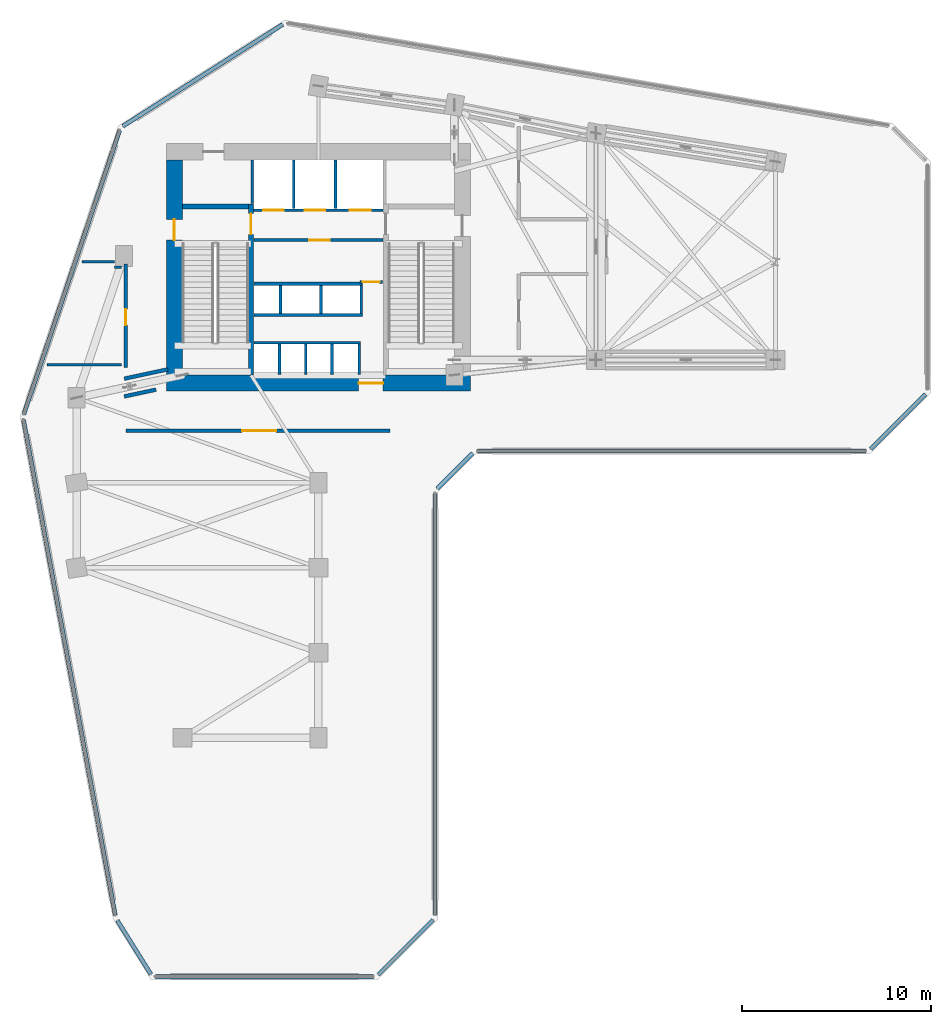
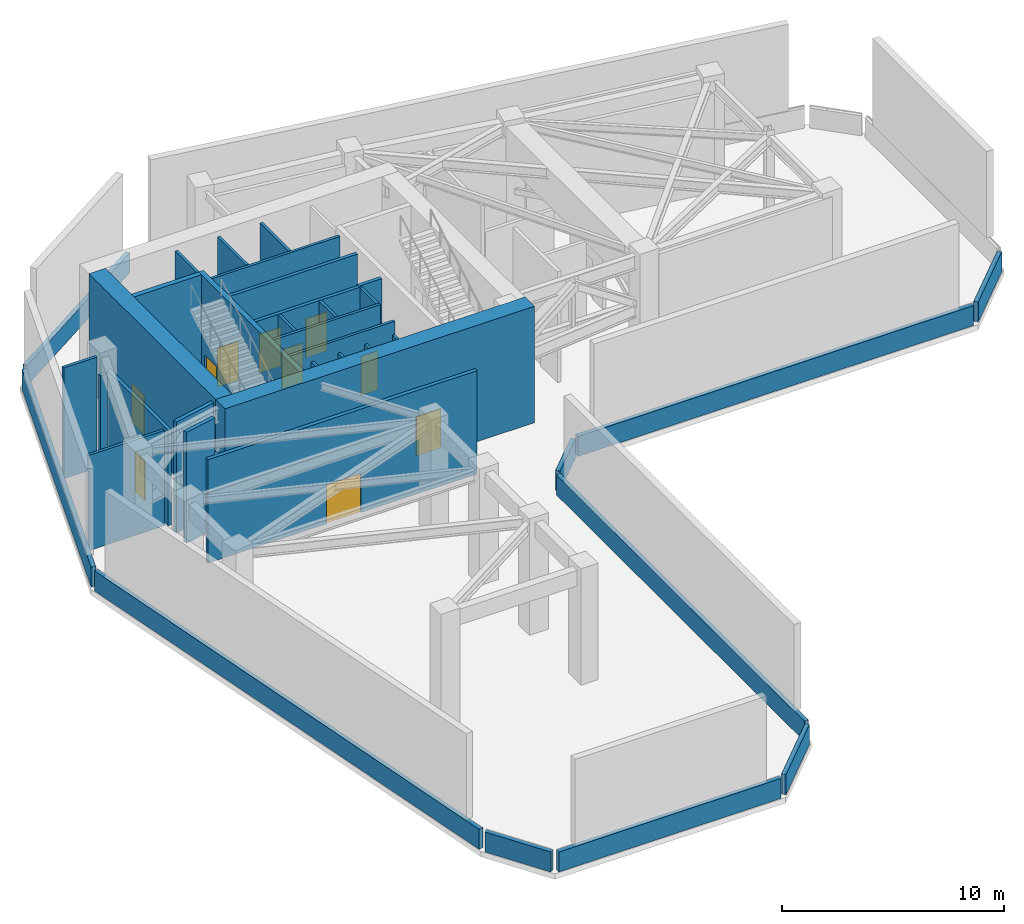
# One storey, part 6 of 10: 37 walls, 10 doors, 10 openings.
"""IFC4 building model written with IfcOpenShell, lengths in metres."""

from ifc_helpers import new_model, si_unit, direction, frame, frame_2d, origin, place, context, subcontext, project, spatial, rectangle, extrude, source, transform, mapped, material, layer, layer_set, type_object, element, fill, save


model = new_model("IFC4")

# Units and contexts
model_context = context("Model", 3, precision=1e-05, world=origin(), true_north=direction((0.0, 1.0)))
body_context = subcontext(model_context, "Body", "Model", "MODEL_VIEW")
ifc_project = project(units=[si_unit("LENGTHUNIT", "METRE"), si_unit("AREAUNIT", "SQUARE_METRE"), si_unit("VOLUMEUNIT", "CUBIC_METRE"), si_unit("PLANEANGLEUNIT", "RADIAN"), si_unit("MASSUNIT", "GRAM", prefix="KILO")], contexts=[model_context])

# Site, building, storey
site_placement = place(None, origin())
site = spatial("IfcSite", under=ifc_project, at=site_placement, CompositionType="ELEMENT")
building_placement = place(site_placement, origin())
building = spatial("IfcBuilding", under=site, at=building_placement, Name="Calvemar Wedge Station Tower", CompositionType="ELEMENT")
storey_placement = place(building_placement, frame((0.0, 0.0, 99.0)))
storey = spatial("IfcBuildingStorey", under=building, at=storey_placement, Name="L24", CompositionType="ELEMENT", Elevation=99.0)

# Wall, opening, door
ifc_material_1 = material(Name="Concrete C50", Category="concrete")
ifc_layer_1 = layer(ifc_material_1, 0.260009765625)
ifc_layer_set_1 = layer_set([ifc_layer_1], Name="Concrete C50")
wall_type_1 = type_object("IfcWallType", Name="SW-CORE-260", PredefinedType="SHEAR", material=ifc_layer_set_1)
wall_1_placement = place(storey_placement, frame((20.22998046875, 34.199951171875, 0.0), z_axis=(0.0, 0.0, 1.0), x_axis=(0.0, 1.0, 0.0)))
wall_1 = element("IfcWall", 1, at=wall_1_placement, inside=storey, type_object=wall_type_1, Name="Storey L24 Core Shear Wall SPINE-W", PredefinedType="SHEAR", context=body_context, shape_type="SweptSolid", body=[
    extrude(rectangle(XDim=9.06005859375, YDim=0.260009765625, at=frame_2d((4.530029296875, 0.0))), origin(), (0.0, 0.0, 1.0), 6.39990234375),
])
shared_shape_1 = source(origin(), body_context, "Body", "SweptSolid", [
    extrude(rectangle(XDim=1.10009765625, YDim=2.14990234375, at=frame_2d((0.550048828125, 1.074951171875))), frame((0.0, 0.14013671875, 0.0), z_axis=(0.0, -1.0, 0.0), x_axis=(1.0, 0.0, 0.0)), (0.0, 0.0, 1.0), 0.280029296875),
])
opening_1_placement = place(wall_1_placement, frame((7.449951171875, 0.0, 0.0)))
opening_1 = element("IfcOpeningElement", 2, at=opening_1_placement, cuts=wall_1, Name="Opening FD-90", PredefinedType="OPENING", context=body_context, shape_type="MappedRepresentation", body=[
    mapped(shared_shape_1, transform((0.0, 0.0, 0.0), scale=1.0)),
])
ifc_material_2 = material(Name="Galvanized fire-rated steel door leaf P-90", Category="steel")
door_type_1 = type_object("IfcDoorType", Name="DR-FD90-1100", OperationType="NOTDEFINED", PredefinedType="DOOR", material=ifc_material_2)
shared_shape_2 = source(origin(), body_context, "Body", "SweptSolid", [
    extrude(rectangle(XDim=1.10009765625, YDim=2.14990234375, at=frame_2d((0.550048828125, 1.074951171875))), frame((0.0, 0.02490234375, 0.0), z_axis=(0.0, -1.0, 0.0), x_axis=(1.0, 0.0, 0.0)), (0.0, 0.0, 1.0), 0.050048828125),
])
door_1_placement = place(opening_1_placement, origin())
door_1 = element("IfcDoor", 3, at=door_1_placement, inside=storey, type_object=door_type_1, Name="L24 FF Lobby to Stair ST-C1 Door", OperationType="SINGLE_SWING_RIGHT", OverallHeight=2.14990234375, OverallWidth=1.10009765625, PredefinedType="DOOR", context=body_context, shape_type="MappedRepresentation", body=[
    mapped(shared_shape_2, transform((0.0, 0.0, 0.0), scale=1.0)),
])
fill(opening_1, door_1)

# Wall
wall_2_placement = place(storey_placement, frame((16.60009765625, 43.1298828125, 0.0), z_axis=(0.0, 0.0, 1.0), x_axis=(1.0, 0.0, 0.0)))
element("IfcWall", 4, at=wall_2_placement, inside=storey, type_object=wall_type_1, Name="Storey L24 Core Shear Wall STC1-N", PredefinedType="SHEAR", context=body_context, shape_type="SweptSolid", body=[
    extrude(rectangle(XDim=3.5, YDim=0.260009765625, at=frame_2d((1.75, 0.0))), origin(), (0.0, 0.0, 1.0), 6.39990234375),
])

# Wall, opening, door
ifc_material_3 = material(Name="Concrete C80", Category="concrete")
ifc_layer_2 = layer(ifc_material_3, 0.85009765625)
ifc_layer_set_2 = layer_set([ifc_layer_2], Name="Concrete C80")
wall_type_2 = type_object("IfcWallType", Name="SW-CORE-850", PredefinedType="SHEAR", material=ifc_layer_set_2)
wall_3_placement = place(storey_placement, frame((15.75, 33.77490234375, 0.0), z_axis=(0.0, 0.0, 1.0), x_axis=(1.0, 0.0, 0.0)))
wall_3 = element("IfcWall", 5, at=wall_3_placement, inside=storey, type_object=wall_type_2, Name="Storey L24 Core Shear Wall S", PredefinedType="SHEAR", context=body_context, shape_type="SweptSolid", body=[
    extrude(rectangle(XDim=16.10009765625, YDim=0.85009765625, at=frame_2d((8.050048828125, 0.0))), origin(), (0.0, 0.0, 1.0), 6.39990234375),
])
shared_shape_3 = source(origin(), body_context, "Body", "SweptSolid", [
    extrude(rectangle(XDim=1.300048828125, YDim=2.14990234375, at=frame_2d((0.64990234375, 1.074951171875))), frame((0.0, 0.43505859375, 0.0), z_axis=(0.0, -1.0, 0.0), x_axis=(1.0, 0.0, 0.0)), (0.0, 0.0, 1.0), 0.8701171875),
])
opening_2_placement = place(wall_3_placement, frame((10.179931640625, 0.0, 0.0)))
opening_2 = element("IfcOpeningElement", 6, at=opening_2_placement, cuts=wall_3, Name="Opening DD-130", PredefinedType="OPENING", context=body_context, shape_type="MappedRepresentation", body=[
    mapped(shared_shape_3, transform((0.0, 0.0, 0.0), scale=1.0)),
])
ifc_material_4 = material(Name="Double-leaf lift lobby fire door EI 60")
door_type_2 = type_object("IfcDoorType", Name="DR-DBL-1300", OperationType="DOUBLE_DOOR_SINGLE_SWING", PredefinedType="DOOR", material=ifc_material_4)
shared_shape_4 = source(origin(), body_context, "Body", "SweptSolid", [
    extrude(rectangle(XDim=1.300048828125, YDim=2.14990234375, at=frame_2d((0.64990234375, 1.074951171875))), frame((0.0, 0.02490234375, 0.0), z_axis=(0.0, -1.0, 0.0), x_axis=(1.0, 0.0, 0.0)), (0.0, 0.0, 1.0), 0.050048828125),
])
door_2_placement = place(opening_2_placement, origin())
door_2 = element("IfcDoor", 7, at=door_2_placement, inside=storey, type_object=door_type_2, Name="L24 Passenger Lift Lobby Door", OperationType="DOUBLE_DOOR_SINGLE_SWING", OverallHeight=2.14990234375, OverallWidth=1.300048828125, PredefinedType="DOOR", context=body_context, shape_type="MappedRepresentation", body=[
    mapped(shared_shape_4, transform((0.0, 0.0, 0.0), scale=1.0)),
])
fill(opening_2, door_2)

wall_4_placement = place(storey_placement, frame((16.175048828125, 34.199951171875, 0.0), z_axis=(0.0, 0.0, 1.0), x_axis=(0.0, 1.0, 0.0)))
wall_4 = element("IfcWall", 8, at=wall_4_placement, inside=storey, type_object=wall_type_2, Name="Storey L24 Core Shear Wall W", PredefinedType="SHEAR", context=body_context, shape_type="SweptSolid", body=[
    extrude(rectangle(XDim=11.400146484375, YDim=0.85009765625, at=frame_2d((5.7001953125, 0.0))), origin(), (0.0, 0.0, 1.0), 6.39990234375),
])
shared_shape_5 = source(origin(), body_context, "Body", "SweptSolid", [
    extrude(rectangle(XDim=1.10009765625, YDim=2.14990234375, at=frame_2d((0.550048828125, 1.074951171875))), frame((0.0, 0.43505859375, 0.0), z_axis=(0.0, -1.0, 0.0), x_axis=(1.0, 0.0, 0.0)), (0.0, 0.0, 1.0), 0.8701171875),
])
opening_3_placement = place(wall_4_placement, frame((7.14990234375, 0.0, 0.0)))
opening_3 = element("IfcOpeningElement", 9, at=opening_3_placement, cuts=wall_4, Name="Opening FD-90", PredefinedType="OPENING", context=body_context, shape_type="MappedRepresentation", body=[
    mapped(shared_shape_5, transform((0.0, 0.0, 0.0), scale=1.0)),
])
door_3_placement = place(opening_3_placement, origin())
door_3 = element("IfcDoor", 10, at=door_3_placement, inside=storey, type_object=door_type_1, Name="L24 West Corridor to Exit Stair ST-C1 Door", OperationType="SINGLE_SWING_RIGHT", OverallHeight=2.14990234375, OverallWidth=1.10009765625, PredefinedType="DOOR", context=body_context, shape_type="MappedRepresentation", body=[
    mapped(shared_shape_2, transform((0.0, 0.0, 0.0), scale=1.0)),
])
fill(opening_3, door_3)

ifc_material_5 = material(Name="Double-stud fire-rated corridor partition")
ifc_layer_3 = layer(ifc_material_5, 0.179931640625)
ifc_layer_set_3 = layer_set([ifc_layer_3], Name="Double-stud fire-rated corridor partition")
wall_type_3 = type_object("IfcWallType", Name="W-CORR-180", PredefinedType="PARTITIONING", material=ifc_layer_set_3)
wall_5_placement = place(storey_placement, frame((27.219970703125, 41.35009765625, 0.0), z_axis=(0.0, 0.0, 1.0), x_axis=(-1.0, 0.0, 0.0)))
wall_5 = element("IfcWall", 11, at=wall_5_placement, inside=storey, type_object=wall_type_3, Name="Storey L24 Interior Partition WL-L24-001", PredefinedType="PARTITIONING", context=body_context, shape_type="SweptSolid", body=[
    extrude(rectangle(XDim=6.840087890625, YDim=0.179931640625, at=frame_2d((3.419921875, 0.0))), origin(), (0.0, 0.0, 1.0), 6.10009765625),
])
shared_shape_6 = source(origin(), body_context, "Body", "SweptSolid", [
    extrude(rectangle(XDim=1.10009765625, YDim=2.14990234375, at=frame_2d((0.550048828125, 1.074951171875))), frame((0.0, 0.10009765625, 0.0), z_axis=(0.0, -1.0, 0.0), x_axis=(1.0, 0.0, 0.0)), (0.0, 0.0, 1.0), 0.199951171875),
])
opening_4_placement = place(wall_5_placement, frame((2.809814453125, 0.0, 0.0)))
opening_4 = element("IfcOpeningElement", 12, at=opening_4_placement, cuts=wall_5, Name="Opening FD-90", PredefinedType="OPENING", context=body_context, shape_type="MappedRepresentation", body=[
    mapped(shared_shape_6, transform((0.0, 0.0, 0.0), scale=1.0)),
])
door_4_placement = place(opening_4_placement, origin())
door_4 = element("IfcDoor", 13, at=door_4_placement, inside=storey, type_object=door_type_1, Name="L24 Firefighting Lobby Door", OperationType="SINGLE_SWING_LEFT", OverallHeight=2.14990234375, OverallWidth=1.10009765625, PredefinedType="DOOR", context=body_context, shape_type="MappedRepresentation", body=[
    mapped(shared_shape_2, transform((0.0, 0.0, 0.0), scale=1.0)),
])
fill(opening_4, door_4)

wall_6_placement = place(storey_placement, frame((27.199951171875, 39.1298828125, 0.0), z_axis=(0.0, 0.0, 1.0), x_axis=(-1.0, 0.0, 0.0)))
wall_6 = element("IfcWall", 14, at=wall_6_placement, inside=storey, type_object=wall_type_3, Name="Storey L24 Interior Partition WL-L24-002", PredefinedType="PARTITIONING", context=body_context, shape_type="SweptSolid", body=[
    extrude(rectangle(XDim=1.2099609375, YDim=0.179931640625, at=frame_2d((0.60498046875, 0.0))), origin(), (0.0, 0.0, 1.0), 6.10009765625),
])
shared_shape_7 = source(origin(), body_context, "Body", "SweptSolid", [
    extrude(rectangle(XDim=0.89990234375, YDim=2.14990234375, at=frame_2d((0.449951171875, 1.074951171875))), frame((0.0, 0.10009765625, 0.0), z_axis=(0.0, -1.0, 0.0), x_axis=(1.0, 0.0, 0.0)), (0.0, 0.0, 1.0), 0.199951171875),
])
opening_5_placement = place(wall_6_placement, frame((0.155029296875, 0.0, 0.0)))
opening_5 = element("IfcOpeningElement", 15, at=opening_5_placement, cuts=wall_6, Name="Opening FD-60", PredefinedType="OPENING", context=body_context, shape_type="MappedRepresentation", body=[
    mapped(shared_shape_7, transform((0.0, 0.0, 0.0), scale=1.0)),
])
ifc_material_6 = material(Name="Fire-rated acoustic timber-core entrance door EI 60", Category="wood")
door_type_3 = type_object("IfcDoorType", Name="DR-FD60-900", OperationType="NOTDEFINED", PredefinedType="DOOR", material=ifc_material_6)
shared_shape_8 = source(origin(), body_context, "Body", "SweptSolid", [
    extrude(rectangle(XDim=0.89990234375, YDim=2.14990234375, at=frame_2d((0.449951171875, 1.074951171875))), frame((0.0, 0.02490234375, 0.0), z_axis=(0.0, -1.0, 0.0), x_axis=(1.0, 0.0, 0.0)), (0.0, 0.0, 1.0), 0.050048828125),
])
door_5_placement = place(opening_5_placement, origin())
door_5 = element("IfcDoor", 16, at=door_5_placement, inside=storey, type_object=door_type_3, Name="L24 Core Service Lobby Door", OperationType="SINGLE_SWING_LEFT", OverallHeight=2.14990234375, OverallWidth=0.89990234375, PredefinedType="DOOR", context=body_context, shape_type="MappedRepresentation", body=[
    mapped(shared_shape_8, transform((0.0, 0.0, 0.0), scale=1.0)),
])
fill(opening_5, door_5)

wall_7_placement = place(storey_placement, frame((13.60009765625, 34.590087890625, 0.0), z_axis=(0.0, 0.0, 1.0), x_axis=(0.0, 1.0, 0.0)))
wall_7 = element("IfcWall", 17, at=wall_7_placement, inside=storey, type_object=wall_type_3, Name="Storey L24 Interior Partition WL-L24-004", PredefinedType="PARTITIONING", context=body_context, shape_type="SweptSolid", body=[
    extrude(rectangle(XDim=5.47998046875, YDim=0.179931640625, at=frame_2d((2.739990234375, 0.0))), origin(), (0.0, 0.0, 1.0), 5.241943359375),
])
shared_shape_9 = source(origin(), body_context, "Body", "SweptSolid", [
    extrude(rectangle(XDim=0.85009765625, YDim=2.14990234375, at=frame_2d((0.425048828125, 1.074951171875))), frame((0.0, 0.10009765625, 0.0), z_axis=(0.0, -1.0, 0.0), x_axis=(1.0, 0.0, 0.0)), (0.0, 0.0, 1.0), 0.199951171875),
])
opening_6_placement = place(wall_7_placement, frame((2.25341796875, 0.0, 0.0)))
opening_6 = element("IfcOpeningElement", 18, at=opening_6_placement, cuts=wall_7, Name="Opening D-02", PredefinedType="OPENING", context=body_context, shape_type="MappedRepresentation", body=[
    mapped(shared_shape_9, transform((0.0, 0.0, 0.0), scale=1.0)),
])
ifc_material_7 = material(Name="Moisture-sealed bathroom hardwood swing door", Category="wood")
door_type_4 = type_object("IfcDoorType", Name="DR-WET-850", OperationType="NOTDEFINED", PredefinedType="DOOR", material=ifc_material_7)
shared_shape_10 = source(origin(), body_context, "Body", "SweptSolid", [
    extrude(rectangle(XDim=0.85009765625, YDim=2.14990234375, at=frame_2d((0.425048828125, 1.074951171875))), frame((0.0, 0.02490234375, 0.0), z_axis=(0.0, -1.0, 0.0), x_axis=(1.0, 0.0, 0.0)), (0.0, 0.0, 1.0), 0.050048828125),
])
door_6_placement = place(opening_6_placement, origin())
door_6 = element("IfcDoor", 19, at=door_6_placement, inside=storey, type_object=door_type_4, Name="L24 Accessible WC Door", OperationType="SINGLE_SWING_LEFT", OverallHeight=2.14990234375, OverallWidth=0.85009765625, PredefinedType="DOOR", context=body_context, shape_type="MappedRepresentation", body=[
    mapped(shared_shape_10, transform((0.0, 0.0, 0.0), scale=1.0)),
])
fill(opening_6, door_6)

# Wall, openings, doors
ifc_material_8 = material(Name="Reinforced concrete blockwork lift shaft wall", Category="masonry")
ifc_layer_4 = layer(ifc_material_8, 0.139892578125)
ifc_layer_set_4 = layer_set([ifc_layer_4], Name="Reinforced concrete blockwork lift shaft wall")
wall_type_4 = type_object("IfcWallType", Name="W-LIFT-160", PredefinedType="SOLIDWALL", material=ifc_layer_set_4)
wall_8_placement = place(storey_placement, frame((20.3701171875, 42.929931640625, 0.0), z_axis=(0.0, 0.0, 1.0), x_axis=(1.0, 0.0, 0.0)))
wall_8 = element("IfcWall", 20, at=wall_8_placement, inside=storey, type_object=wall_type_4, Name="Storey L24 Firefighting and Service Lift Shaft Front Wall", PredefinedType="SOLIDWALL", context=body_context, shape_type="SweptSolid", body=[
    extrude(rectangle(XDim=6.85986328125, YDim=0.139892578125, at=frame_2d((3.429931640625, 0.0))), origin(), (0.0, 0.0, 1.0), 6.10009765625),
])
shared_shape_11 = source(origin(), body_context, "Body", "SweptSolid", [
    extrude(rectangle(XDim=1.10009765625, YDim=2.14990234375, at=frame_2d((0.550048828125, 1.074951171875))), frame((0.0, 0.080078125, 0.0), z_axis=(0.0, -1.0, 0.0), x_axis=(1.0, 0.0, 0.0)), (0.0, 0.0, 1.0), 0.159912109375),
])
opening_7_placement = place(wall_8_placement, frame((0.5, 0.0, 0.0)))
opening_7 = element("IfcOpeningElement", 21, at=opening_7_placement, cuts=wall_8, Name="Opening LD-FF", PredefinedType="OPENING", context=body_context, shape_type="MappedRepresentation", body=[
    mapped(shared_shape_11, transform((0.0, 0.0, 0.0), scale=1.0)),
])
opening_8_placement = place(wall_8_placement, frame((2.699951171875, 0.0, 0.0)))
opening_8 = element("IfcOpeningElement", 22, at=opening_8_placement, cuts=wall_8, Name="Opening LD-FF", PredefinedType="OPENING", context=body_context, shape_type="MappedRepresentation", body=[
    mapped(shared_shape_11, transform((0.0, 0.0, 0.0), scale=1.0)),
])
opening_9_placement = place(wall_8_placement, frame((5.10009765625, 0.0, 0.0)))
opening_9 = element("IfcOpeningElement", 23, at=opening_9_placement, cuts=wall_8, Name="Opening LD-STN", PredefinedType="OPENING", context=body_context, shape_type="MappedRepresentation", body=[
    mapped(shared_shape_11, transform((0.0, 0.0, 0.0), scale=1.0)),
])
ifc_material_9 = material(Name="Stainless steel firefighting lift sliding landing door", Category="steel")
door_type_5 = type_object("IfcDoorType", Name="DR-LD-FF-1100", OperationType="SLIDING_TO_LEFT", PredefinedType="DOOR", material=ifc_material_9)
shared_shape_12 = source(origin(), body_context, "Body", "SweptSolid", [
    extrude(rectangle(XDim=1.10009765625, YDim=2.14990234375, at=frame_2d((0.550048828125, 1.074951171875))), frame((0.0, 0.02490234375, 0.0), z_axis=(0.0, -1.0, 0.0), x_axis=(1.0, 0.0, 0.0)), (0.0, 0.0, 1.0), 0.050048828125),
])
door_7_placement = place(opening_7_placement, origin())
door_7 = element("IfcDoor", 24, at=door_7_placement, inside=storey, type_object=door_type_5, Name="L24 Lift FF-01 Sliding Landing Door", OperationType="SLIDING_TO_LEFT", OverallHeight=2.14990234375, OverallWidth=1.10009765625, PredefinedType="DOOR", context=body_context, shape_type="MappedRepresentation", body=[
    mapped(shared_shape_12, transform((0.0, 0.0, 0.0), scale=1.0)),
])
fill(opening_7, door_7)
door_8_placement = place(opening_8_placement, origin())
door_8 = element("IfcDoor", 25, at=door_8_placement, inside=storey, type_object=door_type_5, Name="L24 Lift FF-02 Sliding Landing Door", OperationType="SLIDING_TO_RIGHT", OverallHeight=2.14990234375, OverallWidth=1.10009765625, PredefinedType="DOOR", context=body_context, shape_type="MappedRepresentation", body=[
    mapped(shared_shape_12, transform((0.0, 0.0, 0.0), scale=1.0)),
])
fill(opening_8, door_8)
ifc_material_10 = material(Name="Stainless steel transit lift sliding landing door", Category="steel")
door_type_6 = type_object("IfcDoorType", Name="DR-LD-PAX-1100", OperationType="SLIDING_TO_LEFT", PredefinedType="DOOR", material=ifc_material_10)
shared_shape_13 = source(origin(), body_context, "Body", "SweptSolid", [
    extrude(rectangle(XDim=1.10009765625, YDim=2.14990234375, at=frame_2d((0.550048828125, 1.074951171875))), frame((0.0, 0.02490234375, 0.0), z_axis=(0.0, -1.0, 0.0), x_axis=(1.0, 0.0, 0.0)), (0.0, 0.0, 1.0), 0.050048828125),
])
door_9_placement = place(opening_9_placement, origin())
door_9 = element("IfcDoor", 26, at=door_9_placement, inside=storey, type_object=door_type_6, Name="L24 Lift SV-01 Sliding Landing Door", OperationType="SLIDING_TO_LEFT", OverallHeight=2.14990234375, OverallWidth=1.10009765625, PredefinedType="DOOR", context=body_context, shape_type="MappedRepresentation", body=[
    mapped(shared_shape_13, transform((0.0, 0.0, 0.0), scale=1.0)),
])
fill(opening_9, door_9)

# Walls
wall_9_placement = place(storey_placement, frame((20.2900390625, 43.280029296875, 0.0), z_axis=(0.0, 0.0, 1.0), x_axis=(0.0, 1.0, 0.0)))
element("IfcWall", 27, at=wall_9_placement, inside=storey, type_object=wall_type_4, Name="Storey L24 Firefighting Lift Shaft Enclosure Wall W", PredefinedType="SOLIDWALL", context=body_context, shape_type="SweptSolid", body=[
    extrude(rectangle(XDim=2.300048828125, YDim=0.139892578125, at=frame_2d((1.14990234375, 0.0))), origin(), (0.0, 0.0, 1.0), 6.10009765625),
])
for number, where, z_axis, x_axis, name in (
    (28, (22.5, 43.02001953125, 0.0), (0.0, 0.0, 1.0), (0.0, 1.0, 0.0), "Storey L24 Firefighting Lift Shaft Enclosure Wall D1"),
    (29, (24.699951171875, 43.02001953125, 0.0), (0.0, 0.0, 1.0), (0.0, 1.0, 0.0), "Storey L24 Firefighting Lift Shaft Enclosure Wall D2"),
):
    element("IfcWall", number, at=place(storey_placement, frame(where, z_axis=z_axis, x_axis=x_axis)), inside=storey, type_object=wall_type_4, Name=name, PredefinedType="SOLIDWALL", context=body_context, shape_type="SweptSolid", body=[
        extrude(rectangle(XDim=2.56005859375, YDim=0.139892578125, at=frame_2d((1.280029296875, 0.0))), origin(), (0.0, 0.0, 1.0), 6.10009765625),
    ])
wall_10_placement = place(storey_placement, frame((20.3798828125, 35.919921875, 0.0), z_axis=(0.0, 0.0, 1.0), x_axis=(1.0, 0.0, 0.0)))
element("IfcWall", 30, at=wall_10_placement, inside=storey, type_object=wall_type_4, Name="Storey L24 South Passenger Lift Bank Front Wall", PredefinedType="SOLIDWALL", context=body_context, shape_type="SweptSolid", body=[
    extrude(rectangle(XDim=5.650146484375, YDim=0.139892578125, at=frame_2d((2.8251953125, 0.0))), origin(), (0.0, 0.0, 1.0), 6.10009765625),
])
for number, where, z_axis, x_axis, name in (
    (31, (25.9599609375, 34.219970703125, 0.0), (0.0, 0.0, 1.0), (0.0, 1.0, 0.0), "Storey L24 South Passenger Lift Shaft Wall E"),
    (32, (21.735107421875, 34.219970703125, 0.0), (0.0, 0.0, 1.0), (0.0, 1.0, 0.0), "Storey L24 South Passenger Lift Shaft Wall D1"),
    (33, (23.125, 34.219970703125, 0.0), (0.0, 0.0, 1.0), (0.0, 1.0, 0.0), "Storey L24 South Passenger Lift Shaft Wall D2"),
    (34, (24.514892578125, 34.219970703125, 0.0), (0.0, 0.0, 1.0), (0.0, 1.0, 0.0), "Storey L24 South Passenger Lift Shaft Wall D3"),
):
    element("IfcWall", number, at=place(storey_placement, frame(where, z_axis=z_axis, x_axis=x_axis)), inside=storey, type_object=wall_type_4, Name=name, PredefinedType="SOLIDWALL", context=body_context, shape_type="SweptSolid", body=[
        extrude(rectangle(XDim=1.6201171875, YDim=0.139892578125, at=frame_2d((0.81005859375, 0.0))), origin(), (0.0, 0.0, 1.0), 5.39208984375),
    ])
wall_11_placement = place(storey_placement, frame((20.3798828125, 37.3798828125, 0.0), z_axis=(0.0, 0.0, 1.0), x_axis=(1.0, 0.0, 0.0)))
element("IfcWall", 35, at=wall_11_placement, inside=storey, type_object=wall_type_4, Name="Storey L24 Upper Passenger Lift Bank Front Wall", PredefinedType="SOLIDWALL", context=body_context, shape_type="SweptSolid", body=[
    extrude(rectangle(XDim=5.75, YDim=0.139892578125, at=frame_2d((2.875, 0.0))), origin(), (0.0, 0.0, 1.0), 6.10009765625),
])
for number, where, z_axis, x_axis, name in (
    (36, (26.06005859375, 37.4599609375, 0.0), (0.0, 0.0, 1.0), (0.0, 1.0, 0.0), "Storey L24 Upper Passenger Lift Shaft Wall E"),
    (37, (21.794921875, 37.4599609375, 0.0), (0.0, 0.0, 1.0), (0.0, 1.0, 0.0), "Storey L24 Upper Passenger Lift Shaft Wall D1"),
    (38, (23.93505859375, 37.4599609375, 0.0), (0.0, 0.0, 1.0), (0.0, 1.0, 0.0), "Storey L24 Upper Passenger Lift Shaft Wall D2"),
):
    element("IfcWall", number, at=place(storey_placement, frame(where, z_axis=z_axis, x_axis=x_axis)), inside=storey, type_object=wall_type_4, Name=name, PredefinedType="SOLIDWALL", context=body_context, shape_type="SweptSolid", body=[
        extrude(rectangle(XDim=1.47998046875, YDim=0.139892578125, at=frame_2d((0.739990234375, 0.0))), origin(), (0.0, 0.0, 1.0), 6.10009765625),
    ])
ifc_material_11 = material(Name="Precast concrete C45", Category="concrete")
ifc_layer_5 = layer(ifc_material_11, 0.219970703125)
ifc_layer_set_5 = layer_set([ifc_layer_5], Name="Precast concrete C45")
wall_type_5 = type_object("IfcWallType", Name="W-PARA-220", PredefinedType="PARAPET", material=ifc_layer_set_5)
wall_12_placement = place(storey_placement, frame((13.14990234375, 5.328125, 0.0), z_axis=(0.0, 0.0, 1.0), x_axis=(0.529992412204, -0.848002383845, 0.0)))
element("IfcWall", 39, at=wall_12_placement, inside=storey, type_object=wall_type_5, Name="Wind Floor L24 Acoustic Curb Wall 1", PredefinedType="PARAPET", context=body_context, shape_type="SweptSolid", body=[
    extrude(rectangle(XDim=3.36181640625, YDim=0.219970703125, at=frame_2d((1.680908203125, 0.0))), origin(), (0.0, 0.0, 1.0), 1.10009765625),
])
wall_13_placement = place(storey_placement, frame((15.1611328125, 2.35009765625, 0.0), z_axis=(0.0, 0.0, 1.0), x_axis=(1.0, 0.0, 0.0)))
element("IfcWall", 40, at=wall_13_placement, inside=storey, type_object=wall_type_5, Name="Wind Floor L24 Acoustic Curb Wall 2", PredefinedType="PARAPET", context=body_context, shape_type="SweptSolid", body=[
    extrude(rectangle(XDim=11.5546875, YDim=0.219970703125, at=frame_2d((5.77734375, 0.0))), origin(), (0.0, 0.0, 1.0), 1.10009765625),
])
wall_14_placement = place(storey_placement, frame((26.971923828125, 2.4560546875, 0.0), z_axis=(0.0, 0.0, 1.0), x_axis=(0.707077016416, 0.707136544705, 0.0)))
element("IfcWall", 41, at=wall_14_placement, inside=storey, type_object=wall_type_5, Name="Wind Floor L24 Acoustic Curb Wall 3", PredefinedType="PARAPET", context=body_context, shape_type="SweptSolid", body=[
    extrude(rectangle(XDim=4.101318359375, YDim=0.219970703125, at=frame_2d((2.05078125, 0.0))), origin(), (0.0, 0.0, 1.0), 1.10009765625),
])
wall_15_placement = place(storey_placement, frame((29.97802734375, 5.612060546875, 0.0), z_axis=(0.0, 0.0, 1.0), x_axis=(0.0, 1.0, 0.0)))
element("IfcWall", 42, at=wall_15_placement, inside=storey, type_object=wall_type_5, Name="Wind Floor L24 Acoustic Curb Wall 4", PredefinedType="PARAPET", context=body_context, shape_type="SweptSolid", body=[
    extrude(rectangle(XDim=22.328125, YDim=0.219970703125, at=frame_2d((11.1640625, 0.0))), origin(), (0.0, 0.0, 1.0), 1.10009765625),
])
wall_16_placement = place(storey_placement, frame((30.083984375, 28.1962890625, 0.0), z_axis=(0.0, 0.0, 1.0), x_axis=(0.707106781187, 0.707106781187, 0.0)))
element("IfcWall", 43, at=wall_16_placement, inside=storey, type_object=wall_type_5, Name="Wind Floor L24 Acoustic Curb Wall 5", PredefinedType="PARAPET", context=body_context, shape_type="SweptSolid", body=[
    extrude(rectangle(XDim=2.652587890625, YDim=0.219970703125, at=frame_2d((1.326171875, 0.0))), origin(), (0.0, 0.0, 1.0), 1.10009765625),
])
wall_17_placement = place(storey_placement, frame((32.2158203125, 30.177978515625, 0.0), z_axis=(0.0, 0.0, 1.0), x_axis=(1.0, 0.0, 0.0)))
element("IfcWall", 44, at=wall_17_placement, inside=storey, type_object=wall_type_5, Name="Wind Floor L24 Acoustic Curb Wall 6", PredefinedType="PARAPET", context=body_context, shape_type="SweptSolid", body=[
    extrude(rectangle(XDim=20.572021484375, YDim=0.219970703125, at=frame_2d((10.2861328125, 0.0))), origin(), (0.0, 0.0, 1.0), 1.10009765625),
])
wall_18_placement = place(storey_placement, frame((53.0439453125, 30.2841796875, 0.0), z_axis=(0.0, 0.0, 1.0), x_axis=(0.707106781187, 0.707106781187, 0.0)))
element("IfcWall", 45, at=wall_18_placement, inside=storey, type_object=wall_type_5, Name="Wind Floor L24 Acoustic Curb Wall 7", PredefinedType="PARAPET", context=body_context, shape_type="SweptSolid", body=[
    extrude(rectangle(XDim=4.10107421875, YDim=0.219970703125, at=frame_2d((2.050537109375, 0.0))), origin(), (0.0, 0.0, 1.0), 1.10009765625),
])
wall_19_placement = place(storey_placement, frame((21.9052734375, 52.761962890625, 0.0), z_axis=(0.0, 0.0, 1.0), x_axis=(-0.843658477939, -0.536880221839, 0.0)))
element("IfcWall", 46, at=wall_19_placement, inside=storey, type_object=wall_type_5, Name="Wind Floor L24 Acoustic Curb Wall 11", PredefinedType="PARAPET", context=body_context, shape_type="SweptSolid", body=[
    extrude(rectangle(XDim=10.020263671875, YDim=0.219970703125, at=frame_2d((5.01025390625, 0.0))), origin(), (0.0, 0.0, 1.0), 1.10009765625),
])
wall_20_placement = place(storey_placement, frame((13.277099609375, 47.15966796875, 0.0), z_axis=(0.0, 0.0, 1.0), x_axis=(-0.319910079984, -0.947447909241, 0.0)))
element("IfcWall", 47, at=wall_20_placement, inside=storey, type_object=wall_type_5, Name="Wind Floor L24 Acoustic Curb Wall 12", PredefinedType="PARAPET", context=body_context, shape_type="SweptSolid", body=[
    extrude(rectangle(XDim=15.862060546875, YDim=0.219970703125, at=frame_2d((7.93115234375, 0.0))), origin(), (0.0, 0.0, 1.0), 1.10009765625),
])
wall_21_placement = place(storey_placement, frame((8.181884765625, 31.841552734375, 0.0), z_axis=(0.0, 0.0, 1.0), x_axis=(0.182163627793, -0.983268230296, 0.0)))
element("IfcWall", 48, at=wall_21_placement, inside=storey, type_object=wall_type_5, Name="Wind Floor L24 Acoustic Curb Wall 13", PredefinedType="PARAPET", context=body_context, shape_type="SweptSolid", body=[
    extrude(rectangle(XDim=26.685302734375, YDim=0.219970703125, at=frame_2d((13.3427734375, 0.0))), origin(), (0.0, 0.0, 1.0), 1.10009765625),
])
ifc_material_12 = material(Name="Concrete blockwork and fireboard shaft wall", Category="masonry")
ifc_layer_6 = layer(ifc_material_12, 0.199951171875)
ifc_layer_set_6 = layer_set([ifc_layer_6], Name="Concrete blockwork and fireboard shaft wall")
wall_type_6 = type_object("IfcWallType", Name="W-SHAFT-200", PredefinedType="SOLIDWALL", material=ifc_layer_set_6)
wall_22_placement = place(storey_placement, frame((20.3798828125, 39.0400390625, 0.0), z_axis=(0.0, 0.0, 1.0), x_axis=(1.0, 0.0, 0.0)))
element("IfcWall", 49, at=wall_22_placement, inside=storey, type_object=wall_type_6, Name="Storey L24 Upper Passenger Lift Bank Rear Shaft Wall", PredefinedType="SOLIDWALL", context=body_context, shape_type="SweptSolid", body=[
    extrude(rectangle(XDim=5.75, YDim=0.179931640625, at=frame_2d((2.875, 0.0))), origin(), (0.0, 0.0, 1.0), 6.10009765625),
])

# Wall, opening, door
wall_23_placement = place(storey_placement, frame((27.60009765625, 31.25, 0.0), z_axis=(0.0, 0.0, 1.0), x_axis=(-1.0, 0.0, 0.0)))
wall_23 = element("IfcWall", 50, at=wall_23_placement, inside=storey, type_object=wall_type_6, Name="Storey L24 Interior Partition WL-L24-003", PredefinedType="SOLIDWALL", context=body_context, shape_type="SweptSolid", body=[
    extrude(rectangle(XDim=14.0, YDim=0.199951171875, at=frame_2d((7.0, 0.0))), origin(), (0.0, 0.0, 1.0), 5.68505859375),
])
shared_shape_14 = source(origin(), body_context, "Body", "SweptSolid", [
    extrude(rectangle(XDim=1.800048828125, YDim=2.14990234375, at=frame_2d((0.89990234375, 1.074951171875))), frame((0.0, 0.10986328125, 0.0), z_axis=(0.0, -1.0, 0.0), x_axis=(1.0, 0.0, 0.0)), (0.0, 0.0, 1.0), 0.219970703125),
])
opening_10_placement = place(wall_23_placement, frame((6.0400390625, 0.0, 0.0)))
opening_10 = element("IfcOpeningElement", 51, at=opening_10_placement, cuts=wall_23, Name="Opening DD-180", PredefinedType="OPENING", context=body_context, shape_type="MappedRepresentation", body=[
    mapped(shared_shape_14, transform((0.0, 0.0, 0.0), scale=1.0)),
])
ifc_material_13 = material(Name="Double-leaf fire-rated refuge and concourse door EI 60")
door_type_7 = type_object("IfcDoorType", Name="DR-DBL-1800", OperationType="DOUBLE_DOOR_SINGLE_SWING", PredefinedType="DOOR", material=ifc_material_13)
shared_shape_15 = source(origin(), body_context, "Body", "SweptSolid", [
    extrude(rectangle(XDim=1.800048828125, YDim=2.14990234375, at=frame_2d((0.89990234375, 1.074951171875))), frame((0.0, 0.02490234375, 0.0), z_axis=(0.0, -1.0, 0.0), x_axis=(1.0, 0.0, 0.0)), (0.0, 0.0, 1.0), 0.050048828125),
])
door_10_placement = place(opening_10_placement, origin())
door_10 = element("IfcDoor", 52, at=door_10_placement, inside=storey, type_object=door_type_7, Name="L24 Fire Refuge Room Door", OperationType="SINGLE_SWING_RIGHT", OverallHeight=2.14990234375, OverallWidth=1.800048828125, PredefinedType="DOOR", context=body_context, shape_type="MappedRepresentation", body=[
    mapped(shared_shape_15, transform((0.0, 0.0, 0.0), scale=1.0)),
])
fill(opening_10, door_10)

# Walls
wall_24_placement = place(storey_placement, frame((13.521728515625, 34.0107421875, 0.0), z_axis=(0.0, 0.0, 1.0), x_axis=(0.977803927466, 0.209522026129, 0.0)))
element("IfcWall", 53, at=wall_24_placement, inside=storey, type_object=wall_type_6, Name="Storey L24 Fire-Rated Truss Casing Wall WL-L24-013", PredefinedType="SOLIDWALL", context=body_context, shape_type="SweptSolid", body=[
    extrude(rectangle(XDim=2.36083984375, YDim=0.199951171875, at=frame_2d((1.180419921875, 0.0))), origin(), (0.0, 0.0, 1.0), 6.10009765625),
])
wall_25_placement = place(storey_placement, frame((15.2021484375, 33.429931640625, 0.0), z_axis=(0.0, 0.0, 1.0), x_axis=(-0.977814873439, -0.209470936603, 0.0)))
element("IfcWall", 54, at=wall_25_placement, inside=storey, type_object=wall_type_6, Name="Storey L24 Fire-Rated Truss Casing Wall WL-L24-014", PredefinedType="SOLIDWALL", context=body_context, shape_type="SweptSolid", body=[
    extrude(rectangle(XDim=1.72021484375, YDim=0.199951171875, at=frame_2d((0.860107421875, 0.0))), origin(), (0.0, 0.0, 1.0), 6.10009765625),
])
ifc_material_14 = material(Name="Moisture-resistant acoustic bathroom partition")
ifc_layer_7 = layer(ifc_material_14, 0.14990234375)
ifc_layer_set_7 = layer_set([ifc_layer_7], Name="Moisture-resistant acoustic bathroom partition")
wall_type_7 = type_object("IfcWallType", Name="W-WET-150", PredefinedType="PARTITIONING", material=ifc_layer_set_7)
wall_26_placement = place(storey_placement, frame((11.28076171875, 40.199951171875, 0.0), z_axis=(0.0, 0.0, 1.0), x_axis=(1.0, 0.0, 0.0)))
element("IfcWall", 55, at=wall_26_placement, inside=storey, type_object=wall_type_7, Name="Storey L24 Bathroom Enclosure Wall WL-L24-010", PredefinedType="PARTITIONING", context=body_context, shape_type="SweptSolid", body=[
    extrude(rectangle(XDim=1.729248046875, YDim=0.14990234375, at=frame_2d((0.86474609375, 0.0))), origin(), (0.0, 0.0, 1.0), 6.10009765625),
])
wall_27_placement = place(storey_placement, frame((13.010009765625, 39.909912109375, 0.0), z_axis=(0.0, 0.0, 1.0), x_axis=(1.0, 0.0, 0.0)))
element("IfcWall", 56, at=wall_27_placement, inside=storey, type_object=wall_type_7, Name="Storey L24 Bathroom Enclosure Wall WL-L24-011", PredefinedType="PARTITIONING", context=body_context, shape_type="SweptSolid", body=[
    extrude(rectangle(XDim=0.369873046875, YDim=0.14990234375, at=frame_2d((0.18505859375, 0.0))), origin(), (0.0, 0.0, 1.0), 5.241943359375),
])
wall_28_placement = place(storey_placement, frame((13.3798828125, 34.75, 0.0), z_axis=(0.0, 0.0, 1.0), x_axis=(-1.0, 0.0, 0.0)))
element("IfcWall", 57, at=wall_28_placement, inside=storey, type_object=wall_type_7, Name="Storey L24 Bathroom Enclosure Wall WL-L24-012", PredefinedType="PARTITIONING", context=body_context, shape_type="SweptSolid", body=[
    extrude(rectangle(XDim=3.939453125, YDim=0.14990234375, at=frame_2d((1.9697265625, 0.0))), origin(), (0.0, 0.0, 1.0), 5.241943359375),
])

save(model, "model.ifc")
